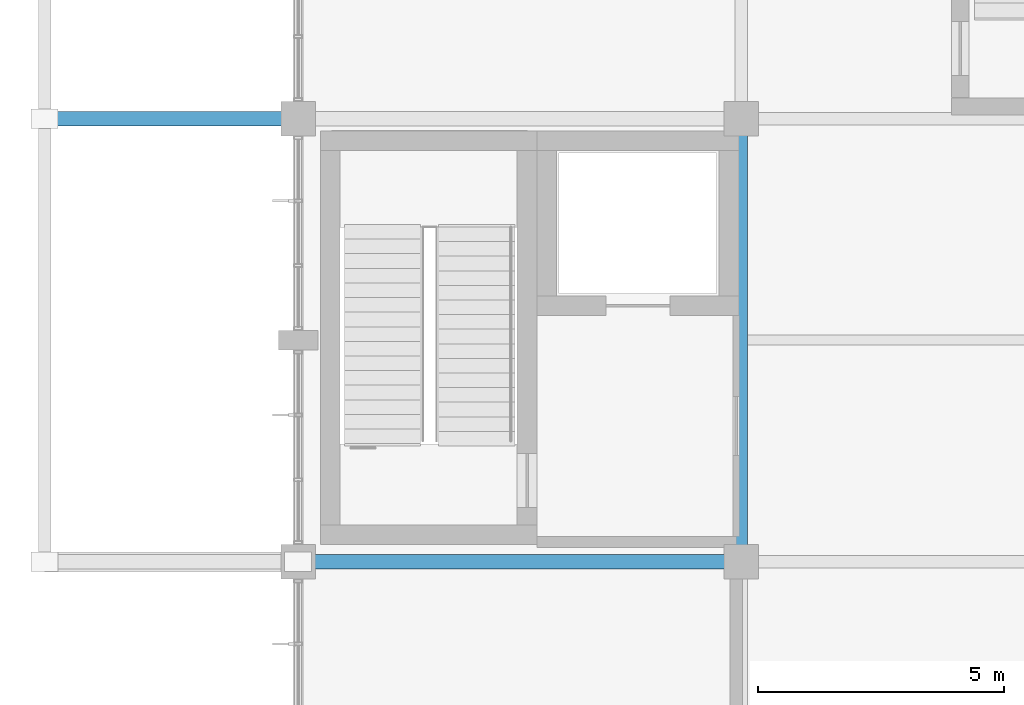
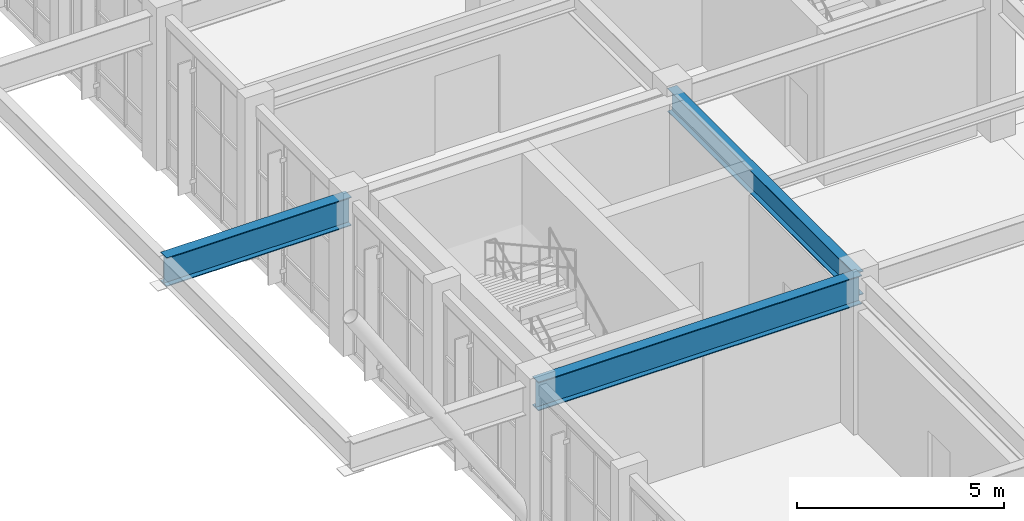
# One storey, part 21 of 99: 3 beams.
"""IFC4 building model written with IfcOpenShell, lengths in metres."""

from ifc_helpers import new_model, si_unit, direction, frame, origin, origin_2d, place, context, subcontext, project, spatial, i_section, extrude, material, material_profile, profile_set, type_object, element, save


model = new_model("IFC4")

# Units and contexts
model_context = context("Model", 3, precision=1e-05, world=origin(), true_north=direction((0.0, 1.0)))
body_context = subcontext(model_context, "Body", "Model", "MODEL_VIEW")
ifc_project = project(units=[si_unit("LENGTHUNIT", "METRE"), si_unit("AREAUNIT", "SQUARE_METRE"), si_unit("VOLUMEUNIT", "CUBIC_METRE"), si_unit("PLANEANGLEUNIT", "RADIAN"), si_unit("MASSUNIT", "GRAM", prefix="KILO")], contexts=[model_context])

# Site, building, storey
site_placement = place(None, origin())
site = spatial("IfcSite", under=ifc_project, at=site_placement, CompositionType="ELEMENT")
building_placement = place(site_placement, origin())
building = spatial("IfcBuilding", under=site, at=building_placement, Name="Ventoquebrada Cableway Terminal", CompositionType="ELEMENT")
storey_placement = place(building_placement, frame((0.0, 0.0, 9.60009765625)))
storey = spatial("IfcBuildingStorey", under=building, at=storey_placement, Name="L02", CompositionType="ELEMENT", Elevation=9.60009765625)

# Beams
ifc_material = material(Name="Steel ASTM A992 Grade 50", Category="steel")
ifc_material_profile_1 = material_profile(ifc_material, i_section(OverallWidth=0.25390625, OverallDepth=0.68798828125, WebThickness=0.01318359375, FlangeThickness=0.02099609375, at=origin_2d()), Name="W27X102")
ifc_profile_set_1 = profile_set([ifc_material_profile_1], Name="Steel ASTM A992 Grade 50")
beam_type_1 = type_object("IfcBeamType", Name="BM-ST04", PredefinedType="BEAM", material=ifc_profile_set_1)
beam_1_placement = place(storey_placement, frame((17.199951171875, 77.0, 4.120849609375), z_axis=(0.0, 1.0, 0.0), x_axis=(-1.0, 0.0, 0.0)))
element("IfcBeam", 1, at=beam_1_placement, inside=storey, type_object=beam_type_1, Name="Primary frame girder FBM-0470", PredefinedType="BEAM", context=body_context, shape_type="SweptSolid", body=[
    extrude(i_section(OverallWidth=0.25390625, OverallDepth=0.68798828125, WebThickness=0.01318359375, FlangeThickness=0.02099609375, at=origin_2d()), origin(), (0.0, 0.0, 1.0), 9.0),
])
ifc_material_profile_2 = material_profile(ifc_material, i_section(OverallWidth=0.2919921875, OverallDepth=0.845947265625, WebThickness=0.015380859375, FlangeThickness=0.0244140625, at=origin_2d()), Name="W33X141")
ifc_profile_set_2 = profile_set([ifc_material_profile_2], Name="Steel ASTM A992 Grade 50")
beam_type_2 = type_object("IfcBeamType", Name="BM-ST06", PredefinedType="BEAM", material=ifc_profile_set_2)
beam_2_placement = place(storey_placement, frame((8.199951171875, 77.0, 4.0419921875), z_axis=(1.0, 0.0, 0.0), x_axis=(0.0, 1.0, 0.0)))
element("IfcBeam", 2, at=beam_2_placement, inside=storey, type_object=beam_type_2, Name="Primary frame girder FBM-0441", PredefinedType="BEAM", context=body_context, shape_type="SweptSolid", body=[
    extrude(i_section(OverallWidth=0.2919921875, OverallDepth=0.845947265625, WebThickness=0.015380859375, FlangeThickness=0.0244140625, at=origin_2d()), origin(), (0.0, 0.0, 1.0), 9.0),
])
beam_3_placement = place(storey_placement, frame((3.050048828125, 86.0, 4.0419921875), z_axis=(1.0, 0.0, 0.0), x_axis=(0.0, 1.0, 0.0)))
element("IfcBeam", 3, at=beam_3_placement, inside=storey, type_object=beam_type_2, Name="Cantilever belvedere girder CB-002", PredefinedType="BEAM", context=body_context, shape_type="SweptSolid", body=[
    extrude(i_section(OverallWidth=0.2919921875, OverallDepth=0.845947265625, WebThickness=0.015380859375, FlangeThickness=0.0244140625, at=origin_2d()), origin(), (0.0, 0.0, 1.0), 5.14990234375),
])

save(model, "model.ifc")
